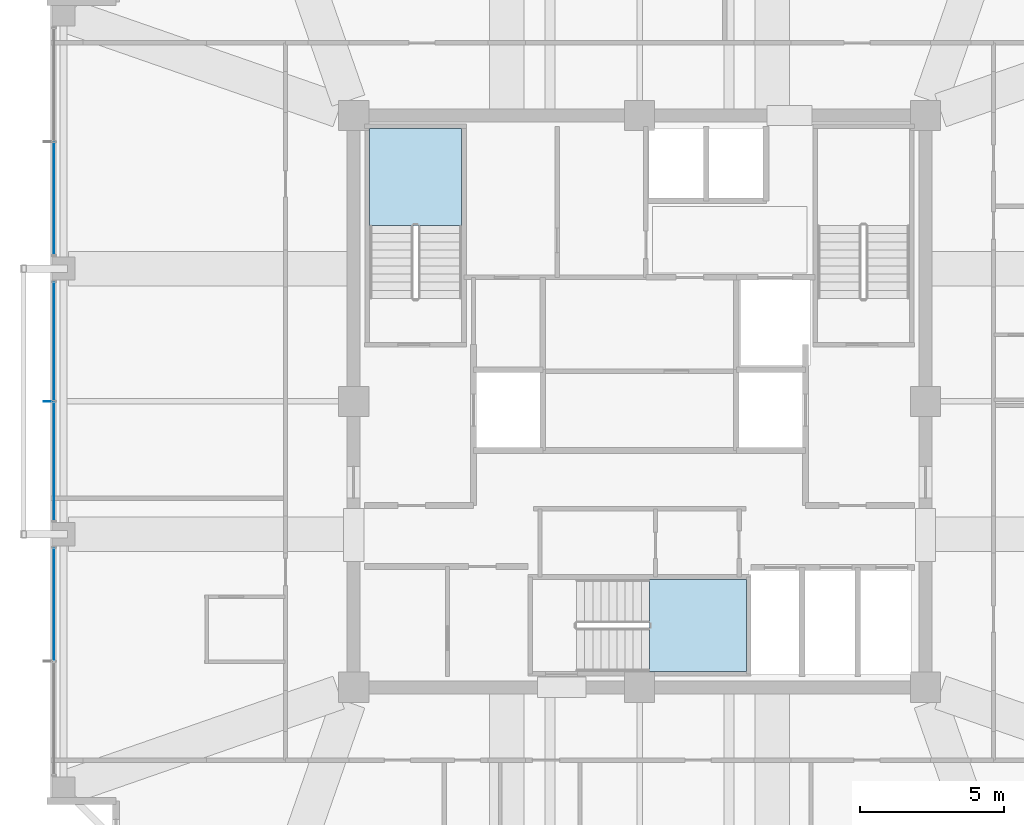
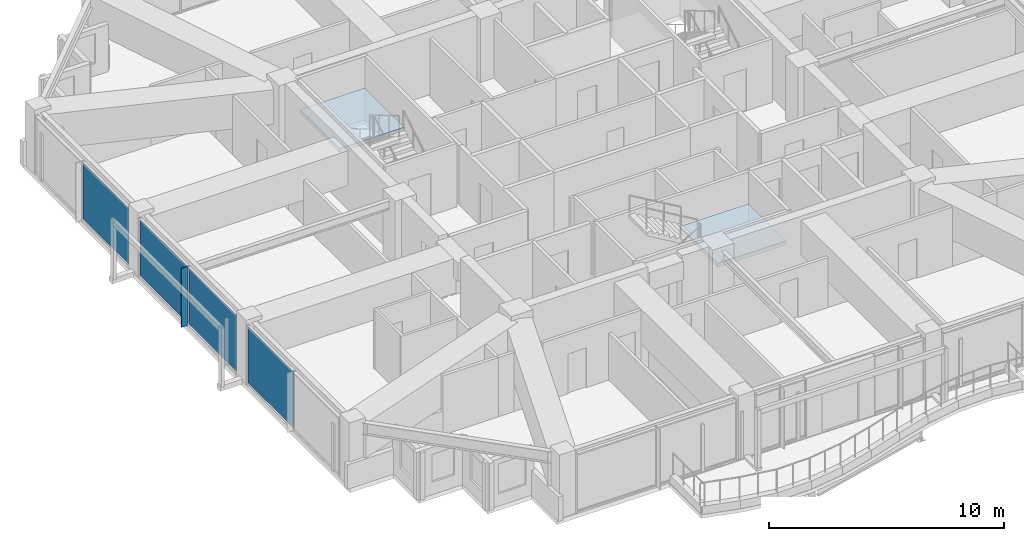
# One storey, part 26 of 37: 5 plates, 2 slabs, 5 elements without a shape of their own.
"""IFC4 building model written with IfcOpenShell, lengths in metres."""

from ifc_helpers import new_model, si_unit, direction, frame, origin, origin_2d, place, context, subcontext, project, spatial, polyline, rectangle, outline, extrude, material, layer, layer_set, type_object, element, aggregate, save


model = new_model("IFC4")

# Units and contexts
model_context = context("Model", 3, precision=1e-05, world=origin(), true_north=direction((0.0, 1.0)))
body_context = subcontext(model_context, "Body", "Model", "MODEL_VIEW")
ifc_project = project(units=[si_unit("LENGTHUNIT", "METRE"), si_unit("AREAUNIT", "SQUARE_METRE"), si_unit("VOLUMEUNIT", "CUBIC_METRE"), si_unit("PLANEANGLEUNIT", "RADIAN"), si_unit("MASSUNIT", "GRAM", prefix="KILO")], contexts=[model_context])

# Site, building, storey
site_placement = place(None, origin())
site = spatial("IfcSite", under=ifc_project, at=site_placement, CompositionType="ELEMENT")
building_placement = place(site_placement, origin())
building = spatial("IfcBuilding", under=site, at=building_placement, Name="Kolvaren Belvedere", CompositionType="ELEMENT")
storey_placement = place(building_placement, frame((0.0, 0.0, 219.60009765625)))
storey = spatial("IfcBuildingStorey", under=building, at=storey_placement, Name="L64", CompositionType="ELEMENT", Elevation=219.60009765625)

# Curtain wall, plate
ifc_material_1 = material(Name="Anodised pale-metal aluminium AA 6063-T6", Category="aluminium")
curtain_wall_type = type_object("IfcCurtainWallType", Name="CW-Z5-HIGH", PredefinedType="NOTDEFINED", material=ifc_material_1)
curtain_wall_1_placement = place(storey_placement, origin())
curtain_wall_1 = element("IfcCurtainWall", 1, at=curtain_wall_1_placement, inside=storey, type_object=curtain_wall_type, Name="L64 Unitised Curtain Wall FCW-L64-W-B1", PredefinedType="NOTDEFINED")
ifc_material_2 = material(Name="Low-iron triple insulated glass", Category="glass")
ifc_layer_1 = layer(ifc_material_2, 0.028076171875)
ifc_layer_set_1 = layer_set([ifc_layer_1], Name="Low-iron triple insulated glass")
plate_type_1 = type_object("IfcPlateType", Name="CW-PNL-VIS28", PredefinedType="CURTAIN_PANEL", material=ifc_layer_set_1)
plate_1_placement = place(storey_placement, frame((-20.280029296875, -7.027587890625, 0.079833984375), z_axis=(0.0, 0.0, 1.0), x_axis=(0.0, 1.0, 0.0)))
plate_1 = element("IfcPlate", 2, at=plate_1_placement, type_object=plate_type_1, Name="FCW-L64-W-B1 Vision Glazing Panel 2", PredefinedType="CURTAIN_PANEL", context=body_context, shape_type="SweptSolid", body=[
    extrude(rectangle(XDim=3.864990234375, YDim=0.028076171875, at=origin_2d()), origin(), (0.0, 0.0, 1.0), 2.919921875),
])
aggregate(curtain_wall_1, [plate_1])

# Curtain wall, plates
curtain_wall_2_placement = place(storey_placement, origin())
curtain_wall_2 = element("IfcCurtainWall", 3, at=curtain_wall_2_placement, inside=storey, type_object=curtain_wall_type, Name="L64 Unitised Curtain Wall FCW-L64-W-B2", PredefinedType="NOTDEFINED")
plate_2_placement = place(storey_placement, frame((-20.280029296875, -2.072509765625, 0.079833984375), z_axis=(0.0, 0.0, 1.0), x_axis=(0.0, 1.0, 0.0)))
plate_2 = element("IfcPlate", 4, at=plate_2_placement, type_object=plate_type_1, Name="FCW-L64-W-B2 Vision Glazing Panel 1", PredefinedType="CURTAIN_PANEL", context=body_context, shape_type="SweptSolid", body=[
    extrude(rectangle(XDim=4.06494140625, YDim=0.028076171875, at=origin_2d()), origin(), (0.0, 0.0, 1.0), 2.919921875),
])
plate_3_placement = place(storey_placement, frame((-20.280029296875, 2.072509765625, 0.079833984375), z_axis=(0.0, 0.0, 1.0), x_axis=(0.0, 1.0, 0.0)))
plate_3 = element("IfcPlate", 5, at=plate_3_placement, type_object=plate_type_1, Name="FCW-L64-W-B2 Vision Glazing Panel 2", PredefinedType="CURTAIN_PANEL", context=body_context, shape_type="SweptSolid", body=[
    extrude(rectangle(XDim=4.06494140625, YDim=0.028076171875, at=origin_2d()), origin(), (0.0, 0.0, 1.0), 2.919921875),
])
aggregate(curtain_wall_2, [plate_2, plate_3])

# Curtain wall, plate
curtain_wall_3_placement = place(storey_placement, origin())
curtain_wall_3 = element("IfcCurtainWall", 6, at=curtain_wall_3_placement, inside=storey, type_object=curtain_wall_type, Name="L64 Unitised Curtain Wall FCW-L64-W-B3", PredefinedType="NOTDEFINED")
plate_4_placement = place(storey_placement, frame((-20.280029296875, 7.027587890625, 0.079833984375), z_axis=(0.0, 0.0, 1.0), x_axis=(0.0, 1.0, 0.0)))
plate_4 = element("IfcPlate", 7, at=plate_4_placement, type_object=plate_type_1, Name="FCW-L64-W-B3 Vision Glazing Panel 1", PredefinedType="CURTAIN_PANEL", context=body_context, shape_type="SweptSolid", body=[
    extrude(rectangle(XDim=3.864990234375, YDim=0.028076171875, at=origin_2d()), origin(), (0.0, 0.0, 1.0), 2.919921875),
])
aggregate(curtain_wall_3, [plate_4])

# Plate
ifc_material_3 = material(Name="Anodised pale-metal aluminium AA 6063-T6", Category="aluminium")
ifc_layer_2 = layer(ifc_material_3, 0.030029296875)
ifc_layer_set_2 = layer_set([ifc_layer_2], Name="Anodised pale-metal aluminium AA 6063-T6")
plate_type_2 = type_object("IfcPlateType", Name="FIN-VERT-300", PredefinedType="USERDEFINED", material=ifc_layer_set_2)
plate_5_placement = place(storey_placement, frame((-20.489990234375, 0.0, -0.000244140625), z_axis=(0.0, 0.0, 1.0), x_axis=(1.0, 0.0, 0.0)))
element("IfcPlate", 8, at=plate_5_placement, inside=storey, type_object=plate_type_2, Name="L64 Pale-Metal Vertical Shading Fin FCW-L64-W-B2-1", ObjectType="VERTICAL FIN", PredefinedType="USERDEFINED", context=body_context, shape_type="SweptSolid", body=[
    extrude(rectangle(XDim=0.300048828125, YDim=0.030029296875, at=origin_2d()), origin(), (0.0, 0.0, 1.0), 3.080078125),
])

# Stair, slab
ifc_material_4 = material(Name="Concrete C50/60", Category="concrete")
stair_type = type_object("IfcStairType", Name="ST-CORE-1520", PredefinedType="HALF_TURN_STAIR", material=ifc_material_4)
stair_1_placement = place(storey_placement, origin())
stair_1 = element("IfcStair", 9, at=stair_1_placement, inside=storey, type_object=stair_type, Name="L64 Protected Exit Stair ST-1", PredefinedType="HALF_TURN_STAIR")
ifc_material_5 = material(Name="Concrete C50/60", Category="concrete")
ifc_layer_3 = layer(ifc_material_5, 0.260009765625)
ifc_layer_set_3 = layer_set([ifc_layer_3], Name="Concrete C50/60")
slab_type = type_object("IfcSlabType", Name="SL-LAND-260", PredefinedType="LANDING", material=ifc_layer_set_3)
slab_1_placement = place(storey_placement, frame((0.0, 0.0, 1.449951171875)))
slab_1 = element("IfcSlab", 10, at=slab_1_placement, type_object=slab_type, Name="ST-1 landing 1", PredefinedType="LANDING", context=body_context, shape_type="SweptSolid", body=[
    extrude(outline(polyline([(-6.159912109375, 6.090087890625), (-6.159912109375, 9.449951171875), (-9.35009765625, 9.449951171875), (-9.35009765625, 6.090087890625), (-6.159912109375, 6.090087890625)])), origin(), (0.0, 0.0, 1.0), 0.199951171875),
])
aggregate(stair_1, [slab_1])

stair_2_placement = place(storey_placement, origin())
stair_2 = element("IfcStair", 11, at=stair_2_placement, inside=storey, type_object=stair_type, Name="L64 Protected Exit Stair ST-3", PredefinedType="HALF_TURN_STAIR")
slab_2_placement = place(storey_placement, frame((0.0, 0.0, 1.449951171875)))
slab_2 = element("IfcSlab", 12, at=slab_2_placement, type_object=slab_type, Name="ST-3 landing 1", PredefinedType="LANDING", context=body_context, shape_type="SweptSolid", body=[
    extrude(outline(polyline([(0.340087890625, -9.35009765625), (3.699951171875, -9.35009765625), (3.699951171875, -6.159912109375), (0.340087890625, -6.159912109375), (0.340087890625, -9.35009765625)])), origin(), (0.0, 0.0, 1.0), 0.199951171875),
])
aggregate(stair_2, [slab_2])

save(model, "model.ifc")
